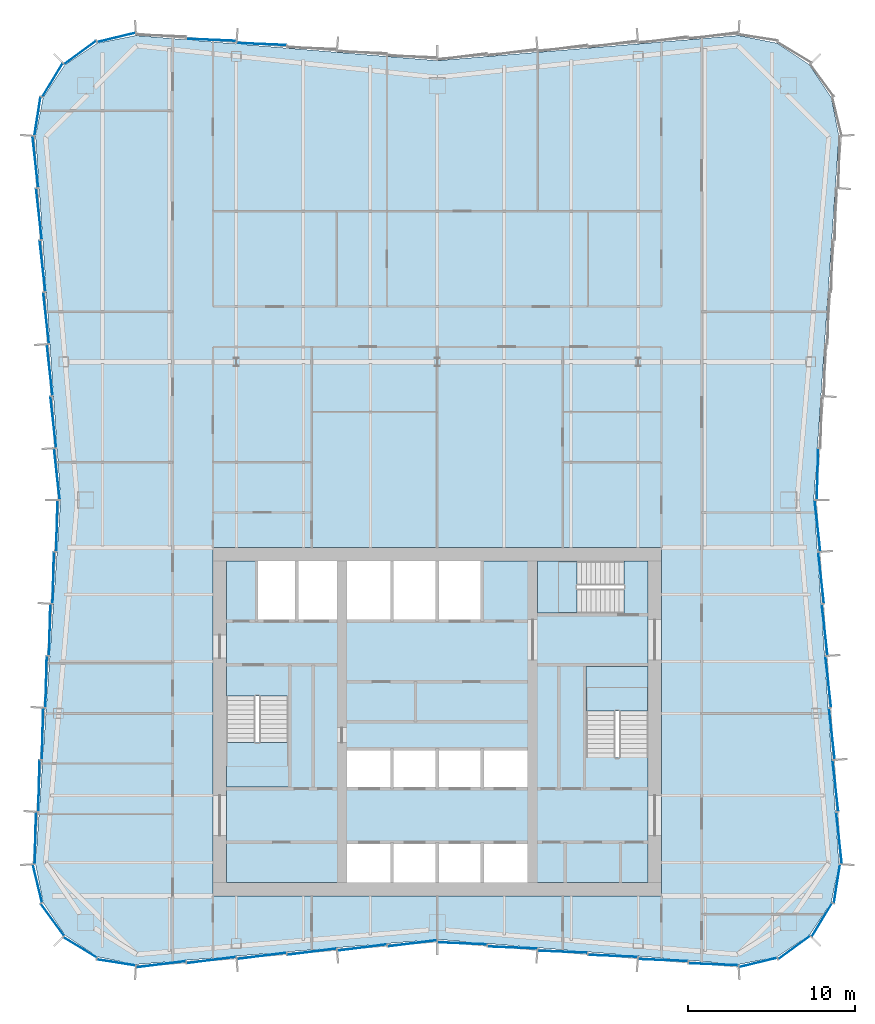
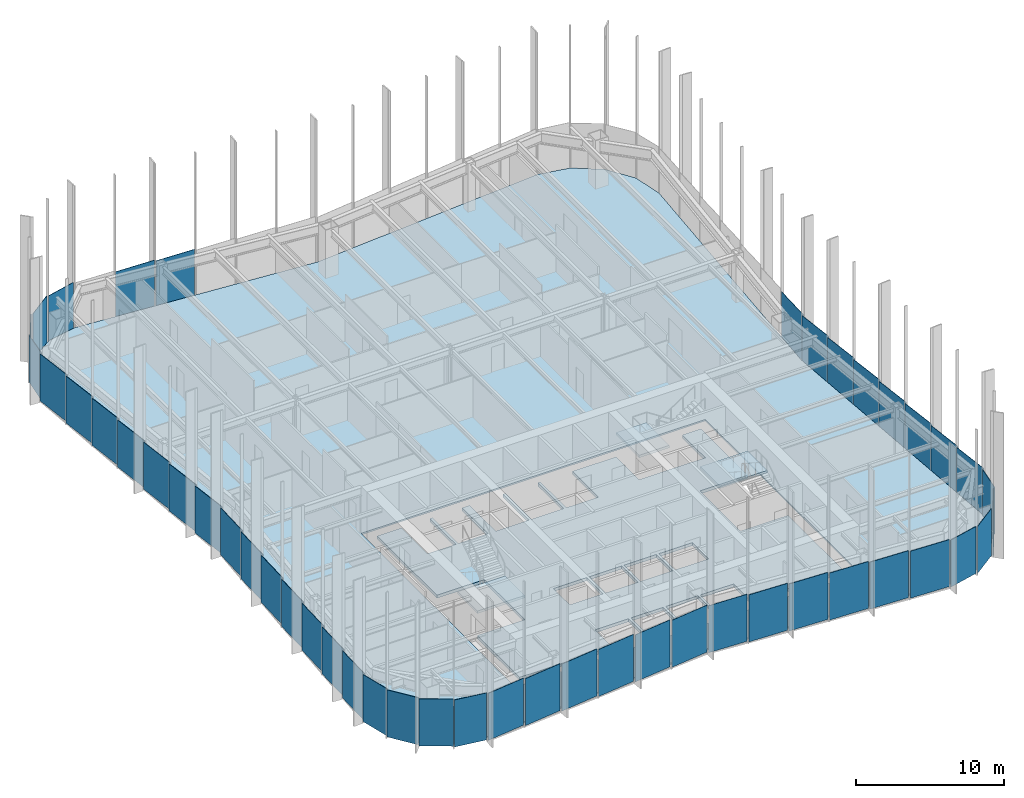
# One storey, part 9 of 15: 48 plates, 5 slabs, 10 elements without a shape of their own.
"""IFC4 building model written with IfcOpenShell, lengths in metres."""

from ifc_helpers import new_model, si_unit, direction, frame, origin, origin_2d, place, context, subcontext, project, spatial, polyline, rectangle, outline, extrude, material, layer, layer_set, type_object, element, aggregate, save


model = new_model("IFC4")

# Units and contexts
model_context = context("Model", 3, precision=1e-05, world=origin(), true_north=direction((0.0, 1.0)))
body_context = subcontext(model_context, "Body", "Model", "MODEL_VIEW")
ifc_project = project(units=[si_unit("LENGTHUNIT", "METRE"), si_unit("AREAUNIT", "SQUARE_METRE"), si_unit("VOLUMEUNIT", "CUBIC_METRE"), si_unit("PLANEANGLEUNIT", "RADIAN"), si_unit("MASSUNIT", "GRAM", prefix="KILO")], contexts=[model_context])

# Site, building, storey
site_placement = place(None, origin())
site = spatial("IfcSite", under=ifc_project, at=site_placement, CompositionType="ELEMENT")
building_placement = place(site_placement, origin())
building = spatial("IfcBuilding", under=site, at=building_placement, Name="Verdant Reach Tower", CompositionType="ELEMENT")
storey_placement = place(building_placement, frame((0.0, 0.0, 250.0)))
storey = spatial("IfcBuildingStorey", under=building, at=storey_placement, Name="L57", CompositionType="ELEMENT", Elevation=250.0)

# Stair, slab
ifc_material_1 = material(Name="Concrete C40/50", Category="concrete")
stair_type = type_object("IfcStairType", Name="CO-STAIR", PredefinedType="HALF_TURN_STAIR", material=ifc_material_1)
stair_1_placement = place(storey_placement, origin())
stair_1 = element("IfcStair", 1, at=stair_1_placement, inside=storey, type_object=stair_type, Name="L57 Exit stair 1", PredefinedType="HALF_TURN_STAIR")
ifc_layer_1 = layer(ifc_material_1, 0.199951171875)
ifc_layer_set_1 = layer_set([ifc_layer_1], Name="CO-STAIR-LANDING")
slab_type_1 = type_object("IfcSlabType", Name="CO-STAIR-LANDING", PredefinedType="LANDING", material=ifc_layer_set_1)
slab_1_placement = place(storey_placement, frame((0.0, 0.0, 1.800048828125)))
slab_1 = element("IfcSlab", 2, at=slab_1_placement, type_object=slab_type_1, Name="ST-1 landing 1", PredefinedType="LANDING", context=body_context, shape_type="SweptSolid", body=[
    extrude(outline(polyline([(-12.60009765625, 26.75), (-12.60009765625, 24.10009765625), (-8.89990234375, 24.10009765625), (-8.89990234375, 26.75), (-12.60009765625, 26.75)])), origin(), (0.0, 0.0, 1.0), 0.199951171875),
])
aggregate(stair_1, [slab_1])

stair_2_placement = place(storey_placement, origin())
stair_2 = element("IfcStair", 3, at=stair_2_placement, inside=storey, type_object=stair_type, Name="L57 Exit stair 2", PredefinedType="HALF_TURN_STAIR")
slab_2_placement = place(storey_placement, frame((0.0, 0.0, 1.800048828125)))
slab_2 = element("IfcSlab", 4, at=slab_2_placement, type_object=slab_type_1, Name="ST-2 landing 1", PredefinedType="LANDING", context=body_context, shape_type="SweptSolid", body=[
    extrude(outline(polyline([(12.60009765625, 28.64990234375), (12.60009765625, 31.300048828125), (8.89990234375, 31.300048828125), (8.89990234375, 28.64990234375), (12.60009765625, 28.64990234375)])), origin(), (0.0, 0.0, 1.0), 0.199951171875),
])
aggregate(stair_2, [slab_2])

stair_3_placement = place(storey_placement, origin())
stair_3 = element("IfcStair", 5, at=stair_3_placement, inside=storey, type_object=stair_type, Name="L57 Exit stair 3", PredefinedType="HALF_TURN_STAIR")
slab_3_placement = place(storey_placement, frame((0.0, 0.0, 1.800048828125)))
slab_3 = element("IfcSlab", 6, at=slab_3_placement, type_object=slab_type_1, Name="ST-3 landing 1", PredefinedType="LANDING", context=body_context, shape_type="SweptSolid", body=[
    extrude(outline(polyline([(8.35009765625, 37.60009765625), (6.0, 37.60009765625), (6.0, 34.5), (8.35009765625, 34.5), (8.35009765625, 37.60009765625)])), origin(), (0.0, 0.0, 1.0), 0.199951171875),
])
aggregate(stair_3, [slab_3])

# Curtain wall, plates
ifc_material_2 = material(Name="Anodised aluminium", Category="aluminium")
curtain_wall_type = type_object("IfcCurtainWallType", Name="EN-CW SYSTEM Z4", PredefinedType="NOTDEFINED", material=ifc_material_2)
curtain_wall_1_placement = place(storey_placement, origin())
curtain_wall_1 = element("IfcCurtainWall", 7, at=curtain_wall_1_placement, inside=storey, type_object=curtain_wall_type, Name="Curtain wall east, L57", PredefinedType="NOTDEFINED")
ifc_material_3 = material(Name="Tinted glass with champagne spandrel", Category="glass")
ifc_layer_2 = layer(ifc_material_3, 0.031982421875)
ifc_layer_set_2 = layer_set([ifc_layer_2], Name="EN-PANEL CHAMPAGNE")
plate_type_1 = type_object("IfcPlateType", Name="EN-PANEL CHAMPAGNE", PredefinedType="CURTAIN_PANEL", material=ifc_layer_set_2)
plate_1_placement = place(storey_placement, frame((23.575927734375, 27.275634765625, -0.221923828125), z_axis=(0.0, 0.0, 1.0), x_axis=(-0.110518162674, 0.993874104562, 0.0)))
plate_1 = element("IfcPlate", 8, at=plate_1_placement, type_object=plate_type_1, Name="Glass panel east face part 1 3.1, L57", PredefinedType="CURTAIN_PANEL", context=body_context, shape_type="SweptSolid", body=[
    extrude(rectangle(XDim=3.050537109375, YDim=0.031982421875, at=origin_2d()), origin(), (0.0, 0.0, 1.0), 3.8720703125),
])
plate_2_placement = place(storey_placement, frame((23.36181640625, 30.3828125, -0.221923828125), z_axis=(0.0, 0.0, 1.0), x_axis=(-0.110518162674, 0.993874104562, 0.0)))
plate_2 = element("IfcPlate", 9, at=plate_2_placement, type_object=plate_type_1, Name="Glass panel east face part 1 4.1, L57", PredefinedType="CURTAIN_PANEL", context=body_context, shape_type="SweptSolid", body=[
    extrude(rectangle(XDim=3.050537109375, YDim=0.031982421875, at=origin_2d()), origin(), (0.0, 0.0, 1.0), 3.8720703125),
])

# Curtain wall, plate
curtain_wall_2_placement = place(storey_placement, origin())
curtain_wall_2 = element("IfcCurtainWall", 10, at=curtain_wall_2_placement, inside=storey, type_object=curtain_wall_type, Name="Curtain wall north, L57", PredefinedType="NOTDEFINED")
plate_3_placement = place(storey_placement, frame((-10.49072265625, 68.486572265625, -0.221923828125), z_axis=(0.0, 0.0, 1.0), x_axis=(-0.999149202059, 0.041241629766, 0.0)))
plate_3 = element("IfcPlate", 11, at=plate_3_placement, type_object=plate_type_1, Name="Glass panel north face part 2 4.1, L57", PredefinedType="CURTAIN_PANEL", context=body_context, shape_type="SweptSolid", body=[
    extrude(rectangle(XDim=2.9462890625, YDim=0.031982421875, at=origin_2d()), origin(), (0.0, 0.0, 1.0), 3.8720703125),
])

# Curtain wall, plates
curtain_wall_3_placement = place(storey_placement, origin())
curtain_wall_3 = element("IfcCurtainWall", 12, at=curtain_wall_3_placement, inside=storey, type_object=curtain_wall_type, Name="Curtain wall north-west corner, L57", PredefinedType="NOTDEFINED")
plate_4_placement = place(storey_placement, frame((-19.172607421875, 68.87939453125, -0.221923828125), z_axis=(0.0, 0.0, 1.0), x_axis=(-0.971652337104, -0.236414330786, 0.0)))
plate_4 = element("IfcPlate", 13, at=plate_4_placement, type_object=plate_type_1, Name="Glass panel north-west corner 1.1, L57", PredefinedType="CURTAIN_PANEL", context=body_context, shape_type="SweptSolid", body=[
    extrude(rectangle(XDim=2.314453125, YDim=0.031982421875, at=origin_2d()), origin(), (0.0, 0.0, 1.0), 3.8720703125),
])
plate_5_placement = place(storey_placement, frame((-21.330322265625, 67.984375, -0.221923828125), z_axis=(0.0, 0.0, 1.0), x_axis=(-0.80745677573, -0.589926737254, 0.0)))
plate_5 = element("IfcPlate", 14, at=plate_5_placement, type_object=plate_type_1, Name="Glass panel north-west corner 2.1, L57", PredefinedType="CURTAIN_PANEL", context=body_context, shape_type="SweptSolid", body=[
    extrude(rectangle(XDim=2.32080078125, YDim=0.031982421875, at=origin_2d()), origin(), (0.0, 0.0, 1.0), 3.8720703125),
])
plate_6_placement = place(storey_placement, frame((-22.984375, 66.330322265625, -0.221923828125), z_axis=(0.0, 0.0, 1.0), x_axis=(-0.520291539577, -0.853988708265, 0.0)))
plate_6 = element("IfcPlate", 15, at=plate_6_placement, type_object=plate_type_1, Name="Glass panel north-west corner 3.1, L57", PredefinedType="CURTAIN_PANEL", context=body_context, shape_type="SweptSolid", body=[
    extrude(rectangle(XDim=2.32080078125, YDim=0.031982421875, at=origin_2d()), origin(), (0.0, 0.0, 1.0), 3.8720703125),
])

curtain_wall_4_placement = place(storey_placement, origin())
curtain_wall_4 = element("IfcCurtainWall", 16, at=curtain_wall_4_placement, inside=storey, type_object=curtain_wall_type, Name="Curtain wall west, L57", PredefinedType="NOTDEFINED")
plate_7_placement = place(storey_placement, frame((-24.004638671875, 61.446044921875, -0.221923828125), z_axis=(0.0, 0.0, 1.0), x_axis=(0.110205903836, -0.993908777886, 0.0)))
plate_7 = element("IfcPlate", 17, at=plate_7_placement, type_object=plate_type_1, Name="Glass panel west face part 1 1.1, L57", PredefinedType="CURTAIN_PANEL", context=body_context, shape_type="SweptSolid", body=[
    extrude(rectangle(XDim=3.0654296875, YDim=0.031982421875, at=origin_2d()), origin(), (0.0, 0.0, 1.0), 3.8720703125),
])
plate_8_placement = place(storey_placement, frame((-22.718994140625, 42.7998046875, -0.221923828125), z_axis=(0.0, 0.0, 1.0), x_axis=(0.110603065042, -0.993864659802, 0.0)))
plate_8 = element("IfcPlate", 18, at=plate_8_placement, type_object=plate_type_1, Name="Glass panel west face part 1 7.1, L57", PredefinedType="CURTAIN_PANEL", context=body_context, shape_type="SweptSolid", body=[
    extrude(rectangle(XDim=3.042724609375, YDim=0.031982421875, at=origin_2d()), origin(), (0.0, 0.0, 1.0), 3.8720703125),
])
plate_9_placement = place(storey_placement, frame((-22.718994140625, 39.7001953125, -0.221923828125), z_axis=(0.0, 0.0, 1.0), x_axis=(-0.027050713229, -0.999634062502, 0.0)))
plate_9 = element("IfcPlate", 19, at=plate_9_placement, type_object=plate_type_1, Name="Glass panel west face part 2 1.1, L57", PredefinedType="CURTAIN_PANEL", context=body_context, shape_type="SweptSolid", body=[
    extrude(rectangle(XDim=3.042724609375, YDim=0.031982421875, at=origin_2d()), origin(), (0.0, 0.0, 1.0), 3.8720703125),
])
plate_10_placement = place(storey_placement, frame((-22.93310546875, 36.596923828125, -0.221923828125), z_axis=(0.0, 0.0, 1.0), x_axis=(-0.026965318308, -0.999636369691, 0.0)))
plate_10 = element("IfcPlate", 20, at=plate_10_placement, type_object=plate_type_1, Name="Glass panel west face part 2 2.1, L57", PredefinedType="CURTAIN_PANEL", context=body_context, shape_type="SweptSolid", body=[
    extrude(rectangle(XDim=3.050537109375, YDim=0.031982421875, at=origin_2d()), origin(), (0.0, 0.0, 1.0), 3.8720703125),
])

# Curtain wall, plate
curtain_wall_5_placement = place(storey_placement, origin())
curtain_wall_5 = element("IfcCurtainWall", 21, at=curtain_wall_5_placement, inside=storey, type_object=curtain_wall_type, Name="Curtain wall south-west corner, L57", PredefinedType="NOTDEFINED")
plate_11_placement = place(storey_placement, frame((-23.87939453125, 18.326904296875, -0.221923828125), z_axis=(0.0, 0.0, 1.0), x_axis=(0.236458850433, -0.971641503875, 0.0)))
plate_11 = element("IfcPlate", 22, at=plate_11_placement, type_object=plate_type_1, Name="Glass panel south-west corner 1.1, L57", PredefinedType="CURTAIN_PANEL", context=body_context, shape_type="SweptSolid", body=[
    extrude(rectangle(XDim=2.313720703125, YDim=0.031982421875, at=origin_2d()), origin(), (0.0, 0.0, 1.0), 3.8720703125),
])

# Curtain wall, plates
curtain_wall_6_placement = place(storey_placement, origin())
curtain_wall_6 = element("IfcCurtainWall", 23, at=curtain_wall_6_placement, inside=storey, type_object=curtain_wall_type, Name="Curtain wall south, L57", PredefinedType="NOTDEFINED")
plate_12_placement = place(storey_placement, frame((-4.49072265625, 14.513427734375, -0.221923828125), z_axis=(0.0, 0.0, 1.0), x_axis=(0.992194034542, 0.124703639961, 0.0)))
plate_12 = element("IfcPlate", 24, at=plate_12_placement, type_object=plate_type_1, Name="Glass panel south face part 1 5.1, L57", PredefinedType="CURTAIN_PANEL", context=body_context, shape_type="SweptSolid", body=[
    extrude(rectangle(XDim=2.9462890625, YDim=0.031982421875, at=origin_2d()), origin(), (0.0, 0.0, 1.0), 3.8720703125),
])
plate_13_placement = place(storey_placement, frame((-1.495361328125, 14.76318359375, -0.221923828125), z_axis=(0.0, 0.0, 1.0), x_axis=(0.992177950603, 0.124831543836, 0.0)))
plate_13 = element("IfcPlate", 25, at=plate_13_placement, type_object=plate_type_1, Name="Glass panel south face part 1 6.1, L57", PredefinedType="CURTAIN_PANEL", context=body_context, shape_type="SweptSolid", body=[
    extrude(rectangle(XDim=2.93701171875, YDim=0.031982421875, at=origin_2d()), origin(), (0.0, 0.0, 1.0), 3.8720703125),
])
plate_14_placement = place(storey_placement, frame((16.49853515625, 13.51318359375, -0.221923828125), z_axis=(0.0, 0.0, 1.0), x_axis=(0.999164016711, -0.040881141246, 0.0)))
plate_14 = element("IfcPlate", 26, at=plate_14_placement, type_object=plate_type_1, Name="Glass panel south face part 2 6.1, L57", PredefinedType="CURTAIN_PANEL", context=body_context, shape_type="SweptSolid", body=[
    extrude(rectangle(XDim=2.9619140625, YDim=0.031982421875, at=origin_2d()), origin(), (0.0, 0.0, 1.0), 3.8720703125),
])

# Curtain wall, plate
curtain_wall_7_placement = place(storey_placement, origin())
curtain_wall_7 = element("IfcCurtainWall", 27, at=curtain_wall_7_placement, inside=storey, type_object=curtain_wall_type, Name="Curtain wall south-east corner, L57", PredefinedType="NOTDEFINED")
ifc_material_4 = material(Name="Tinted glass with copper spandrel", Category="glass")
ifc_layer_3 = layer(ifc_material_4, 0.031982421875)
ifc_layer_set_3 = layer_set([ifc_layer_3], Name="EN-PANEL COPPER")
plate_type_2 = type_object("IfcPlateType", Name="EN-PANEL COPPER", PredefinedType="CURTAIN_PANEL", material=ifc_layer_set_3)
plate_15_placement = place(storey_placement, frame((19.172607421875, 13.62060546875, -0.221923828125), z_axis=(0.0, 0.0, 1.0), x_axis=(0.971652337104, 0.236414330786, 0.0)))
plate_15 = element("IfcPlate", 28, at=plate_15_placement, type_object=plate_type_2, Name="Glass panel south-east corner 1.1, L57", PredefinedType="CURTAIN_PANEL", context=body_context, shape_type="SweptSolid", body=[
    extrude(rectangle(XDim=2.314453125, YDim=0.031982421875, at=origin_2d()), origin(), (0.0, 0.0, 1.0), 3.8720703125),
])

# Plate
plate_16_placement = place(storey_placement, frame((23.1474609375, 33.48974609375, -0.221923828125), z_axis=(0.0, 0.0, 1.0), x_axis=(-0.110518162674, 0.993874104562, 0.0)))
plate_16 = element("IfcPlate", 29, at=plate_16_placement, type_object=plate_type_2, Name="Glass panel east face part 1 5.1, L57", PredefinedType="CURTAIN_PANEL", context=body_context, shape_type="SweptSolid", body=[
    extrude(rectangle(XDim=3.050537109375, YDim=0.031982421875, at=origin_2d()), origin(), (0.0, 0.0, 1.0), 3.8720703125),
])

plate_17_placement = place(storey_placement, frame((22.93310546875, 36.596923828125, -0.221923828125), z_axis=(0.0, 0.0, 1.0), x_axis=(-0.110518162674, 0.993874104562, 0.0)))
plate_17 = element("IfcPlate", 30, at=plate_17_placement, type_object=plate_type_2, Name="Glass panel east face part 1 6.1, L57", PredefinedType="CURTAIN_PANEL", context=body_context, shape_type="SweptSolid", body=[
    extrude(rectangle(XDim=3.050537109375, YDim=0.031982421875, at=origin_2d()), origin(), (0.0, 0.0, 1.0), 3.8720703125),
])

plate_18_placement = place(storey_placement, frame((22.718994140625, 39.7001953125, -0.221923828125), z_axis=(0.0, 0.0, 1.0), x_axis=(-0.110603065042, 0.993864659802, 0.0)))
plate_18 = element("IfcPlate", 31, at=plate_18_placement, type_object=plate_type_2, Name="Glass panel east face part 1 7.1, L57", PredefinedType="CURTAIN_PANEL", context=body_context, shape_type="SweptSolid", body=[
    extrude(rectangle(XDim=3.042724609375, YDim=0.031982421875, at=origin_2d()), origin(), (0.0, 0.0, 1.0), 3.8720703125),
])

plate_19_placement = place(storey_placement, frame((22.718994140625, 42.7998046875, -0.221923828125), z_axis=(0.0, 0.0, 1.0), x_axis=(0.027050713229, 0.999634062502, 0.0)))
plate_19 = element("IfcPlate", 32, at=plate_19_placement, type_object=plate_type_2, Name="Glass panel east face part 2 1.1, L57", PredefinedType="CURTAIN_PANEL", context=body_context, shape_type="SweptSolid", body=[
    extrude(rectangle(XDim=3.042724609375, YDim=0.031982421875, at=origin_2d()), origin(), (0.0, 0.0, 1.0), 3.8720703125),
])

plate_20_placement = place(storey_placement, frame((-13.49072265625, 68.736572265625, -0.221923828125), z_axis=(0.0, 0.0, 1.0), x_axis=(-0.999149202059, 0.041241629766, 0.0)))
plate_20 = element("IfcPlate", 33, at=plate_20_placement, type_object=plate_type_2, Name="Glass panel north face part 2 5.1, L57", PredefinedType="CURTAIN_PANEL", context=body_context, shape_type="SweptSolid", body=[
    extrude(rectangle(XDim=2.9462890625, YDim=0.031982421875, at=origin_2d()), origin(), (0.0, 0.0, 1.0), 3.8720703125),
])

aggregate(curtain_wall_2, [plate_3, plate_20])

plate_21_placement = place(storey_placement, frame((-23.87939453125, 64.173095703125, -0.221923828125), z_axis=(0.0, 0.0, 1.0), x_axis=(-0.154324690427, -0.988020187003, 0.0)))
plate_21 = element("IfcPlate", 34, at=plate_21_placement, type_object=plate_type_2, Name="Glass panel north-west corner 4.1, L57", PredefinedType="CURTAIN_PANEL", context=body_context, shape_type="SweptSolid", body=[
    extrude(rectangle(XDim=2.313720703125, YDim=0.031982421875, at=origin_2d()), origin(), (0.0, 0.0, 1.0), 3.8720703125),
])

aggregate(curtain_wall_3, [plate_4, plate_5, plate_6, plate_21])

plate_22_placement = place(storey_placement, frame((-23.790283203125, 58.33154296875, -0.221923828125), z_axis=(0.0, 0.0, 1.0), x_axis=(0.110518162674, -0.993874104562, 0.0)))
plate_22 = element("IfcPlate", 35, at=plate_22_placement, type_object=plate_type_2, Name="Glass panel west face part 1 2.1, L57", PredefinedType="CURTAIN_PANEL", context=body_context, shape_type="SweptSolid", body=[
    extrude(rectangle(XDim=3.050537109375, YDim=0.031982421875, at=origin_2d()), origin(), (0.0, 0.0, 1.0), 3.8720703125),
])

plate_23_placement = place(storey_placement, frame((-23.575927734375, 55.224365234375, -0.221923828125), z_axis=(0.0, 0.0, 1.0), x_axis=(0.110518162674, -0.993874104562, 0.0)))
plate_23 = element("IfcPlate", 36, at=plate_23_placement, type_object=plate_type_2, Name="Glass panel west face part 1 3.1, L57", PredefinedType="CURTAIN_PANEL", context=body_context, shape_type="SweptSolid", body=[
    extrude(rectangle(XDim=3.050537109375, YDim=0.031982421875, at=origin_2d()), origin(), (0.0, 0.0, 1.0), 3.8720703125),
])

plate_24_placement = place(storey_placement, frame((-23.1474609375, 33.48974609375, -0.221923828125), z_axis=(0.0, 0.0, 1.0), x_axis=(-0.026965318308, -0.999636369691, 0.0)))
plate_24 = element("IfcPlate", 37, at=plate_24_placement, type_object=plate_type_2, Name="Glass panel west face part 2 3.1, L57", PredefinedType="CURTAIN_PANEL", context=body_context, shape_type="SweptSolid", body=[
    extrude(rectangle(XDim=3.050537109375, YDim=0.031982421875, at=origin_2d()), origin(), (0.0, 0.0, 1.0), 3.8720703125),
])

plate_25_placement = place(storey_placement, frame((-23.36181640625, 30.3828125, -0.221923828125), z_axis=(0.0, 0.0, 1.0), x_axis=(-0.026965318308, -0.999636369691, 0.0)))
plate_25 = element("IfcPlate", 38, at=plate_25_placement, type_object=plate_type_2, Name="Glass panel west face part 2 4.1, L57", PredefinedType="CURTAIN_PANEL", context=body_context, shape_type="SweptSolid", body=[
    extrude(rectangle(XDim=3.050537109375, YDim=0.031982421875, at=origin_2d()), origin(), (0.0, 0.0, 1.0), 3.8720703125),
])

plate_26_placement = place(storey_placement, frame((-23.575927734375, 27.275634765625, -0.221923828125), z_axis=(0.0, 0.0, 1.0), x_axis=(-0.026965318308, -0.999636369691, 0.0)))
plate_26 = element("IfcPlate", 39, at=plate_26_placement, type_object=plate_type_2, Name="Glass panel west face part 2 5.1, L57", PredefinedType="CURTAIN_PANEL", context=body_context, shape_type="SweptSolid", body=[
    extrude(rectangle(XDim=3.050537109375, YDim=0.031982421875, at=origin_2d()), origin(), (0.0, 0.0, 1.0), 3.8720703125),
])

plate_27_placement = place(storey_placement, frame((-22.984375, 16.169677734375, -0.221923828125), z_axis=(0.0, 0.0, 1.0), x_axis=(0.589926737254, -0.80745677573, 0.0)))
plate_27 = element("IfcPlate", 40, at=plate_27_placement, type_object=plate_type_2, Name="Glass panel south-west corner 2.1, L57", PredefinedType="CURTAIN_PANEL", context=body_context, shape_type="SweptSolid", body=[
    extrude(rectangle(XDim=2.32080078125, YDim=0.031982421875, at=origin_2d()), origin(), (0.0, 0.0, 1.0), 3.8720703125),
])

plate_28_placement = place(storey_placement, frame((-21.330322265625, 14.515625, -0.221923828125), z_axis=(0.0, 0.0, 1.0), x_axis=(0.853988708265, -0.520291539577, 0.0)))
plate_28 = element("IfcPlate", 41, at=plate_28_placement, type_object=plate_type_2, Name="Glass panel south-west corner 3.1, L57", PredefinedType="CURTAIN_PANEL", context=body_context, shape_type="SweptSolid", body=[
    extrude(rectangle(XDim=2.32080078125, YDim=0.031982421875, at=origin_2d()), origin(), (0.0, 0.0, 1.0), 3.8720703125),
])

plate_29_placement = place(storey_placement, frame((-16.49853515625, 13.51318359375, -0.221923828125), z_axis=(0.0, 0.0, 1.0), x_axis=(0.992238962139, 0.124345655383, 0.0)))
plate_29 = element("IfcPlate", 42, at=plate_29_placement, type_object=plate_type_2, Name="Glass panel south face part 1 1.1, L57", PredefinedType="CURTAIN_PANEL", context=body_context, shape_type="SweptSolid", body=[
    extrude(rectangle(XDim=2.9619140625, YDim=0.031982421875, at=origin_2d()), origin(), (0.0, 0.0, 1.0), 3.8720703125),
])

plate_30_placement = place(storey_placement, frame((1.495361328125, 14.76318359375, -0.221923828125), z_axis=(0.0, 0.0, 1.0), x_axis=(0.999143877249, -0.041370430933, 0.0)))
plate_30 = element("IfcPlate", 43, at=plate_30_placement, type_object=plate_type_2, Name="Glass panel south face part 2 1.1, L57", PredefinedType="CURTAIN_PANEL", context=body_context, shape_type="SweptSolid", body=[
    extrude(rectangle(XDim=2.93701171875, YDim=0.031982421875, at=origin_2d()), origin(), (0.0, 0.0, 1.0), 3.8720703125),
])

plate_31_placement = place(storey_placement, frame((4.49072265625, 14.513427734375, -0.221923828125), z_axis=(0.0, 0.0, 1.0), x_axis=(0.999149202059, -0.041241629766, 0.0)))
plate_31 = element("IfcPlate", 44, at=plate_31_placement, type_object=plate_type_2, Name="Glass panel south face part 2 2.1, L57", PredefinedType="CURTAIN_PANEL", context=body_context, shape_type="SweptSolid", body=[
    extrude(rectangle(XDim=2.9462890625, YDim=0.031982421875, at=origin_2d()), origin(), (0.0, 0.0, 1.0), 3.8720703125),
])

plate_32_placement = place(storey_placement, frame((7.49072265625, 14.263427734375, -0.221923828125), z_axis=(0.0, 0.0, 1.0), x_axis=(0.999149202059, -0.041241629766, 0.0)))
plate_32 = element("IfcPlate", 45, at=plate_32_placement, type_object=plate_type_2, Name="Glass panel south face part 2 3.1, L57", PredefinedType="CURTAIN_PANEL", context=body_context, shape_type="SweptSolid", body=[
    extrude(rectangle(XDim=2.9462890625, YDim=0.031982421875, at=origin_2d()), origin(), (0.0, 0.0, 1.0), 3.8720703125),
])

ifc_material_5 = material(Name="Tinted glass with dark bronze spandrel", Category="glass")
ifc_layer_4 = layer(ifc_material_5, 0.031982421875)
ifc_layer_set_4 = layer_set([ifc_layer_4], Name="EN-PANEL DARK")
plate_type_3 = type_object("IfcPlateType", Name="EN-PANEL DARK", PredefinedType="CURTAIN_PANEL", material=ifc_layer_set_4)
plate_33_placement = place(storey_placement, frame((21.330322265625, 14.515625, -0.221923828125), z_axis=(0.0, 0.0, 1.0), x_axis=(0.80745677573, 0.589926737254, 0.0)))
plate_33 = element("IfcPlate", 46, at=plate_33_placement, type_object=plate_type_3, Name="Glass panel south-east corner 2.1, L57", PredefinedType="CURTAIN_PANEL", context=body_context, shape_type="SweptSolid", body=[
    extrude(rectangle(XDim=2.32080078125, YDim=0.031982421875, at=origin_2d()), origin(), (0.0, 0.0, 1.0), 3.8720703125),
])

plate_34_placement = place(storey_placement, frame((22.984375, 16.169677734375, -0.221923828125), z_axis=(0.0, 0.0, 1.0), x_axis=(0.520291539577, 0.853988708265, 0.0)))
plate_34 = element("IfcPlate", 47, at=plate_34_placement, type_object=plate_type_3, Name="Glass panel south-east corner 3.1, L57", PredefinedType="CURTAIN_PANEL", context=body_context, shape_type="SweptSolid", body=[
    extrude(rectangle(XDim=2.32080078125, YDim=0.031982421875, at=origin_2d()), origin(), (0.0, 0.0, 1.0), 3.8720703125),
])

plate_35_placement = place(storey_placement, frame((23.87939453125, 18.326904296875, -0.221923828125), z_axis=(0.0, 0.0, 1.0), x_axis=(0.154324690427, 0.988020187003, 0.0)))
plate_35 = element("IfcPlate", 48, at=plate_35_placement, type_object=plate_type_3, Name="Glass panel south-east corner 4.1, L57", PredefinedType="CURTAIN_PANEL", context=body_context, shape_type="SweptSolid", body=[
    extrude(rectangle(XDim=2.313720703125, YDim=0.031982421875, at=origin_2d()), origin(), (0.0, 0.0, 1.0), 3.8720703125),
])

aggregate(curtain_wall_7, [plate_15, plate_33, plate_34, plate_35])

plate_36_placement = place(storey_placement, frame((24.004638671875, 21.053955078125, -0.221923828125), z_axis=(0.0, 0.0, 1.0), x_axis=(-0.110205903836, 0.993908777886, 0.0)))
plate_36 = element("IfcPlate", 49, at=plate_36_placement, type_object=plate_type_3, Name="Glass panel east face part 1 1.1, L57", PredefinedType="CURTAIN_PANEL", context=body_context, shape_type="SweptSolid", body=[
    extrude(rectangle(XDim=3.0654296875, YDim=0.031982421875, at=origin_2d()), origin(), (0.0, 0.0, 1.0), 3.8720703125),
])

plate_37_placement = place(storey_placement, frame((23.790283203125, 24.16845703125, -0.221923828125), z_axis=(0.0, 0.0, 1.0), x_axis=(-0.110518162674, 0.993874104562, 0.0)))
plate_37 = element("IfcPlate", 50, at=plate_37_placement, type_object=plate_type_3, Name="Glass panel east face part 1 2.1, L57", PredefinedType="CURTAIN_PANEL", context=body_context, shape_type="SweptSolid", body=[
    extrude(rectangle(XDim=3.050537109375, YDim=0.031982421875, at=origin_2d()), origin(), (0.0, 0.0, 1.0), 3.8720703125),
])

aggregate(curtain_wall_1, [plate_36, plate_37, plate_1, plate_2, plate_16, plate_17, plate_18, plate_19])

plate_38_placement = place(storey_placement, frame((-23.36181640625, 52.1171875, -0.221923828125), z_axis=(0.0, 0.0, 1.0), x_axis=(0.110518162674, -0.993874104562, 0.0)))
plate_38 = element("IfcPlate", 51, at=plate_38_placement, type_object=plate_type_3, Name="Glass panel west face part 1 4.1, L57", PredefinedType="CURTAIN_PANEL", context=body_context, shape_type="SweptSolid", body=[
    extrude(rectangle(XDim=3.050537109375, YDim=0.031982421875, at=origin_2d()), origin(), (0.0, 0.0, 1.0), 3.8720703125),
])

plate_39_placement = place(storey_placement, frame((-23.1474609375, 49.01025390625, -0.221923828125), z_axis=(0.0, 0.0, 1.0), x_axis=(0.110518162674, -0.993874104562, 0.0)))
plate_39 = element("IfcPlate", 52, at=plate_39_placement, type_object=plate_type_3, Name="Glass panel west face part 1 5.1, L57", PredefinedType="CURTAIN_PANEL", context=body_context, shape_type="SweptSolid", body=[
    extrude(rectangle(XDim=3.050537109375, YDim=0.031982421875, at=origin_2d()), origin(), (0.0, 0.0, 1.0), 3.8720703125),
])

plate_40_placement = place(storey_placement, frame((-22.93310546875, 45.903076171875, -0.221923828125), z_axis=(0.0, 0.0, 1.0), x_axis=(0.110518162674, -0.993874104562, 0.0)))
plate_40 = element("IfcPlate", 53, at=plate_40_placement, type_object=plate_type_3, Name="Glass panel west face part 1 6.1, L57", PredefinedType="CURTAIN_PANEL", context=body_context, shape_type="SweptSolid", body=[
    extrude(rectangle(XDim=3.050537109375, YDim=0.031982421875, at=origin_2d()), origin(), (0.0, 0.0, 1.0), 3.8720703125),
])

plate_41_placement = place(storey_placement, frame((-23.790283203125, 24.16845703125, -0.221923828125), z_axis=(0.0, 0.0, 1.0), x_axis=(-0.026965318308, -0.999636369691, 0.0)))
plate_41 = element("IfcPlate", 54, at=plate_41_placement, type_object=plate_type_3, Name="Glass panel west face part 2 6.1, L57", PredefinedType="CURTAIN_PANEL", context=body_context, shape_type="SweptSolid", body=[
    extrude(rectangle(XDim=3.050537109375, YDim=0.031982421875, at=origin_2d()), origin(), (0.0, 0.0, 1.0), 3.8720703125),
])

plate_42_placement = place(storey_placement, frame((-24.004638671875, 21.053955078125, -0.221923828125), z_axis=(0.0, 0.0, 1.0), x_axis=(-0.026651253217, -0.999644792265, 0.0)))
plate_42 = element("IfcPlate", 55, at=plate_42_placement, type_object=plate_type_3, Name="Glass panel west face part 2 7.1, L57", PredefinedType="CURTAIN_PANEL", context=body_context, shape_type="SweptSolid", body=[
    extrude(rectangle(XDim=3.0654296875, YDim=0.031982421875, at=origin_2d()), origin(), (0.0, 0.0, 1.0), 3.8720703125),
])

aggregate(curtain_wall_4, [plate_7, plate_22, plate_23, plate_38, plate_39, plate_40, plate_8, plate_9, plate_10, plate_24, plate_25, plate_26, plate_41, plate_42])

plate_43_placement = place(storey_placement, frame((-19.172607421875, 13.62060546875, -0.221923828125), z_axis=(0.0, 0.0, 1.0), x_axis=(0.98802725693, -0.154279420415, 0.0)))
plate_43 = element("IfcPlate", 56, at=plate_43_placement, type_object=plate_type_3, Name="Glass panel south-west corner 4.1, L57", PredefinedType="CURTAIN_PANEL", context=body_context, shape_type="SweptSolid", body=[
    extrude(rectangle(XDim=2.314453125, YDim=0.031982421875, at=origin_2d()), origin(), (0.0, 0.0, 1.0), 3.8720703125),
])

aggregate(curtain_wall_5, [plate_11, plate_27, plate_28, plate_43])

plate_44_placement = place(storey_placement, frame((-13.49072265625, 13.763427734375, -0.221923828125), z_axis=(0.0, 0.0, 1.0), x_axis=(0.992194034542, 0.124703639961, 0.0)))
plate_44 = element("IfcPlate", 57, at=plate_44_placement, type_object=plate_type_3, Name="Glass panel south face part 1 2.1, L57", PredefinedType="CURTAIN_PANEL", context=body_context, shape_type="SweptSolid", body=[
    extrude(rectangle(XDim=2.9462890625, YDim=0.031982421875, at=origin_2d()), origin(), (0.0, 0.0, 1.0), 3.8720703125),
])

plate_45_placement = place(storey_placement, frame((-10.49072265625, 14.013427734375, -0.221923828125), z_axis=(0.0, 0.0, 1.0), x_axis=(0.992194034542, 0.124703639961, 0.0)))
plate_45 = element("IfcPlate", 58, at=plate_45_placement, type_object=plate_type_3, Name="Glass panel south face part 1 3.1, L57", PredefinedType="CURTAIN_PANEL", context=body_context, shape_type="SweptSolid", body=[
    extrude(rectangle(XDim=2.9462890625, YDim=0.031982421875, at=origin_2d()), origin(), (0.0, 0.0, 1.0), 3.8720703125),
])

plate_46_placement = place(storey_placement, frame((-7.49072265625, 14.263427734375, -0.221923828125), z_axis=(0.0, 0.0, 1.0), x_axis=(0.992194034542, 0.124703639961, 0.0)))
plate_46 = element("IfcPlate", 59, at=plate_46_placement, type_object=plate_type_3, Name="Glass panel south face part 1 4.1, L57", PredefinedType="CURTAIN_PANEL", context=body_context, shape_type="SweptSolid", body=[
    extrude(rectangle(XDim=2.9462890625, YDim=0.031982421875, at=origin_2d()), origin(), (0.0, 0.0, 1.0), 3.8720703125),
])

plate_47_placement = place(storey_placement, frame((10.49072265625, 14.013427734375, -0.221923828125), z_axis=(0.0, 0.0, 1.0), x_axis=(0.999149202059, -0.041241629766, 0.0)))
plate_47 = element("IfcPlate", 60, at=plate_47_placement, type_object=plate_type_3, Name="Glass panel south face part 2 4.1, L57", PredefinedType="CURTAIN_PANEL", context=body_context, shape_type="SweptSolid", body=[
    extrude(rectangle(XDim=2.9462890625, YDim=0.031982421875, at=origin_2d()), origin(), (0.0, 0.0, 1.0), 3.8720703125),
])

plate_48_placement = place(storey_placement, frame((13.49072265625, 13.763427734375, -0.221923828125), z_axis=(0.0, 0.0, 1.0), x_axis=(0.999149202059, -0.041241629766, 0.0)))
plate_48 = element("IfcPlate", 61, at=plate_48_placement, type_object=plate_type_3, Name="Glass panel south face part 2 5.1, L57", PredefinedType="CURTAIN_PANEL", context=body_context, shape_type="SweptSolid", body=[
    extrude(rectangle(XDim=2.9462890625, YDim=0.031982421875, at=origin_2d()), origin(), (0.0, 0.0, 1.0), 3.8720703125),
])

aggregate(curtain_wall_6, [plate_29, plate_44, plate_45, plate_46, plate_12, plate_13, plate_30, plate_31, plate_32, plate_47, plate_48, plate_14])

# Slabs
ifc_material_6 = material(Name="Concrete C35/45", Category="concrete")
ifc_layer_5 = layer(ifc_material_6, 0.1298828125)
ifc_layer_set_5 = layer_set([ifc_layer_5], Name="ST-SLAB-130")
slab_type_2 = type_object("IfcSlabType", Name="ST-SLAB-130", PredefinedType="FLOOR", material=ifc_layer_set_5)
slab_4_placement = place(storey_placement, frame((0.0, 0.0, -0.1298828125)))
element("IfcSlab", 62, at=slab_4_placement, inside=storey, type_object=slab_type_2, Name="Floor slab L57", PredefinedType="FLOOR", context=body_context, shape_type="SweptSolid", body=[
    extrude(outline(polyline([(0.0, 15.0), (-18.0, 13.5), (-20.296142578125, 13.956787109375), (-22.24267578125, 15.25732421875), (-23.543212890625, 17.203857421875), (-24.0, 19.5), (-22.5, 41.25), (-24.0, 63.0), (-23.543212890625, 65.296142578125), (-22.24267578125, 67.24267578125), (-20.296142578125, 68.543212890625), (-18.0, 69.0), (0.0, 67.5), (18.0, 69.0), (20.296142578125, 68.543212890625), (22.24267578125, 67.24267578125), (23.543212890625, 65.296142578125), (24.0, 63.0), (22.5, 41.25), (24.0, 19.5), (23.543212890625, 17.203857421875), (22.24267578125, 15.25732421875), (20.296142578125, 13.956787109375), (18.0, 13.5), (0.0, 15.0)]), holes=[polyline([(13.39990234375, 38.39990234375), (-13.39990234375, 38.39990234375), (-13.39990234375, 17.60009765625), (13.39990234375, 17.60009765625), (13.39990234375, 38.39990234375)])]), origin(), (0.0, 0.0, 1.0), 0.1298828125),
])
ifc_layer_6 = layer(ifc_material_6, 0.25)
ifc_layer_set_6 = layer_set([ifc_layer_6], Name="ST-SLAB-250")
slab_type_3 = type_object("IfcSlabType", Name="ST-SLAB-250", PredefinedType="FLOOR", material=ifc_layer_set_6)
slab_5_placement = place(storey_placement, frame((0.0, 0.0, -0.25)))
element("IfcSlab", 63, at=slab_5_placement, inside=storey, type_object=slab_type_3, Name="Core floor slab L57", PredefinedType="FLOOR", context=body_context, shape_type="SweptSolid", body=[
    extrude(outline(polyline([(12.60009765625, 18.39990234375), (5.39990234375, 18.39990234375), (5.39990234375, 20.699951171875), (2.800048828125, 20.699951171875), (2.800048828125, 18.39990234375), (2.60009765625, 18.39990234375), (2.60009765625, 20.699951171875), (0.10009765625, 20.699951171875), (0.10009765625, 18.39990234375), (-0.10009765625, 18.39990234375), (-0.10009765625, 20.699951171875), (-2.60009765625, 20.699951171875), (-2.60009765625, 18.39990234375), (-2.800048828125, 18.39990234375), (-2.800048828125, 20.699951171875), (-5.39990234375, 20.699951171875), (-5.39990234375, 18.39990234375), (-12.60009765625, 18.39990234375), (-12.60009765625, 24.10009765625), (-8.89990234375, 24.10009765625), (-8.89990234375, 29.548095703125), (-12.60009765625, 29.548095703125), (-12.60009765625, 37.60009765625), (-10.699951171875, 37.60009765625), (-10.699951171875, 34.10009765625), (-8.5, 34.10009765625), (-8.5, 37.60009765625), (-8.300048828125, 37.60009765625), (-8.300048828125, 34.10009765625), (-6.0, 34.10009765625), (-6.0, 37.60009765625), (-5.39990234375, 37.60009765625), (-5.39990234375, 34.10009765625), (-2.800048828125, 34.10009765625), (-2.800048828125, 37.60009765625), (-2.60009765625, 37.60009765625), (-2.60009765625, 34.10009765625), (-0.10009765625, 34.10009765625), (-0.10009765625, 37.60009765625), (0.10009765625, 37.60009765625), (0.10009765625, 34.10009765625), (2.60009765625, 34.10009765625), (2.60009765625, 37.60009765625), (6.0, 37.60009765625), (6.0, 34.5), (11.14794921875, 34.5), (11.14794921875, 37.60009765625), (12.60009765625, 37.60009765625), (12.60009765625, 31.300048828125), (8.89990234375, 31.300048828125), (8.89990234375, 25.85205078125), (12.60009765625, 25.85205078125), (12.60009765625, 18.39990234375)]), holes=[polyline([(-2.800048828125, 24.10009765625), (-2.800048828125, 26.300048828125), (-5.39990234375, 26.300048828125), (-5.39990234375, 24.10009765625), (-2.800048828125, 24.10009765625)]), polyline([(-0.10009765625, 24.10009765625), (-0.10009765625, 26.300048828125), (-2.60009765625, 26.300048828125), (-2.60009765625, 24.10009765625), (-0.10009765625, 24.10009765625)]), polyline([(2.60009765625, 24.10009765625), (2.60009765625, 26.300048828125), (0.10009765625, 26.300048828125), (0.10009765625, 24.10009765625), (2.60009765625, 24.10009765625)]), polyline([(5.39990234375, 24.10009765625), (5.39990234375, 26.300048828125), (2.800048828125, 26.300048828125), (2.800048828125, 24.10009765625), (5.39990234375, 24.10009765625)])]), origin(), (0.0, 0.0, 1.0), 0.25),
])

save(model, "model.ifc")
